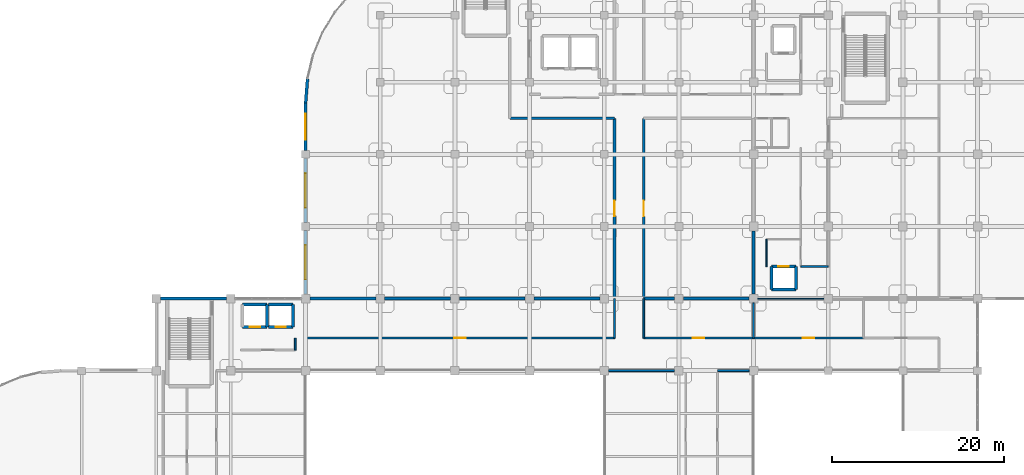
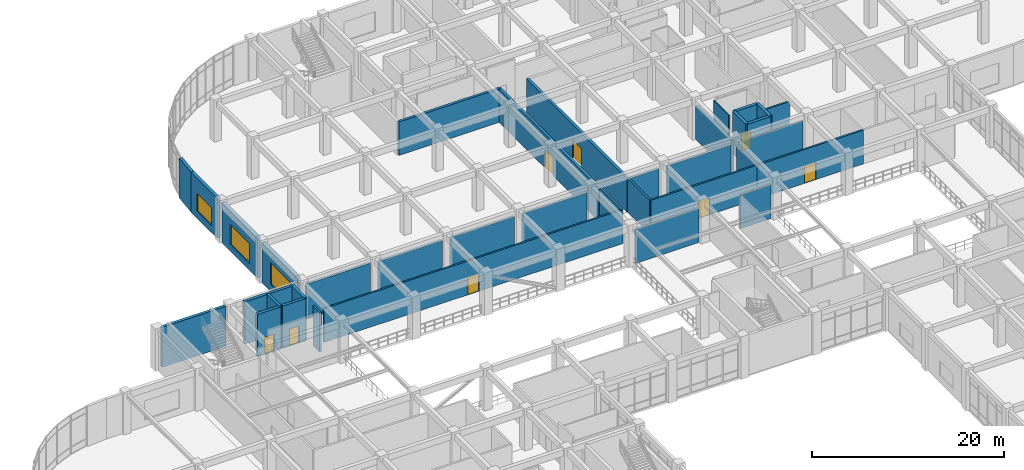
# One storey, part 96 of 114: 37 walls, 8 doors, 3 windows, 11 openings.
"""IFC4 building model written with IfcOpenShell, lengths in metres."""

from ifc_helpers import new_model, si_unit, derived_unit, direction, frame, frame_2d, origin, place, context, subcontext, project, spatial, rectangle, extrude, material, layer, layer_set, type_object, element, fill, save


model = new_model("IFC4")

# Units and contexts
model_context = context("Model", 3, precision=1e-05, world=origin(), true_north=direction((0.0, 1.0)))
body_context = subcontext(model_context, "Body", "Model", "MODEL_VIEW")
ifc_project = project(units=[si_unit("LENGTHUNIT", "METRE"), si_unit("AREAUNIT", "SQUARE_METRE"), si_unit("VOLUMEUNIT", "CUBIC_METRE"), si_unit("PLANEANGLEUNIT", "RADIAN"), si_unit("MASSUNIT", "GRAM", prefix="KILO"), derived_unit("THERMALTRANSMITTANCEUNIT", [(si_unit("MASSUNIT", "GRAM", prefix="KILO"), 1), (si_unit("TIMEUNIT", "SECOND"), -3), (si_unit("THERMODYNAMICTEMPERATUREUNIT", "KELVIN"), -1)])], contexts=[model_context])

# Site, building, storey
site_placement = place(None, origin())
site = spatial("IfcSite", under=ifc_project, at=site_placement, CompositionType="ELEMENT")
building_placement = place(site_placement, origin())
building = spatial("IfcBuilding", under=site, at=building_placement, Name="Qinzheling Arcade Emporium", CompositionType="ELEMENT")
storey_placement = place(building_placement, frame((0.0, 0.0, 6.0)))
storey = spatial("IfcBuildingStorey", under=building, at=storey_placement, Name="L02", CompositionType="ELEMENT", Elevation=6.0)

# Walls
ifc_material_1 = material(Name="Double-stud acoustic gypsum board partition")
ifc_layer_1 = layer(ifc_material_1, 0.215087890625, Name="Double-stud acoustic gypsum board partition")
ifc_layer_set_1 = layer_set([ifc_layer_1], Name="Double-stud acoustic gypsum board partition")
wall_type_1 = type_object("IfcWallType", Name="Acoustic Corridor Partition Wall 215", PredefinedType="PARTITIONING", material=ifc_layer_set_1)
wall_1_placement = place(storey_placement, frame((51.0, 69.199951171875, 0.0), z_axis=(0.0, 0.0, 1.0), x_axis=(0.0, -1.0, 0.0)))
element("IfcWall", 1, at=wall_1_placement, inside=storey, type_object=wall_type_1, Name="Interior Wall WL-L02-INT-0284", PredefinedType="PARTITIONING", context=body_context, shape_type="SweptSolid", body=[
    extrude(rectangle(XDim=1.39990234375, YDim=0.215087890625, at=frame_2d((0.699951171875, 0.0))), origin(), (0.0, 0.0, 1.0), 5.06005859375),
])
wall_2_placement = place(storey_placement, frame((91.60009765625, 73.800048828125, 0.0), z_axis=(0.0, 0.0, 1.0), x_axis=(0.0, -1.0, 0.0)))
element("IfcWall", 2, at=wall_2_placement, inside=storey, type_object=wall_type_1, Name="Interior Wall WL-L02-INT-0333", PredefinedType="PARTITIONING", context=body_context, shape_type="SweptSolid", body=[
    extrude(rectangle(XDim=4.60009765625, YDim=0.215087890625, at=frame_2d((2.300048828125, 0.0))), origin(), (0.0, 0.0, 1.0), 4.31005859375),
])

# Wall, opening, door
wall_3_placement = place(storey_placement, frame((91.60009765625, 69.199951171875, 0.0), z_axis=(0.0, 0.0, 1.0), x_axis=(1.0, 0.0, 0.0)))
wall_3 = element("IfcWall", 3, at=wall_3_placement, inside=storey, type_object=wall_type_1, Name="Interior Wall WL-L02-INT-0334", PredefinedType="PARTITIONING", context=body_context, shape_type="SweptSolid", body=[
    extrude(rectangle(XDim=12.7998046875, YDim=0.215087890625, at=frame_2d((6.39990234375, 0.0))), origin(), (0.0, 0.0, 1.0), 4.31005859375),
])
opening_1_placement = place(wall_3_placement, frame((5.72509765625, 0.0, 0.0)))
opening_1 = element("IfcOpeningElement", 4, at=opening_1_placement, cuts=wall_3, Name="Opening FD05", PredefinedType="OPENING", context=body_context, shape_type="SweptSolid", body=[
    extrude(rectangle(XDim=1.35009765625, YDim=2.199951171875, at=frame_2d((0.675048828125, 1.10009765625))), frame((0.0, 0.11767578125, 0.0), z_axis=(0.0, -1.0, 0.0), x_axis=(1.0, 0.0, 0.0)), (0.0, 0.0, 1.0), 0.235107421875),
])
ifc_material_2 = material(Name="Class B fire-rated stainless-clad door")
door_type_1 = type_object("IfcDoorType", Name="Kitchen Fire-Rated Service Door 1350x2200", OperationType="NOTDEFINED", PredefinedType="DOOR", material=ifc_material_2)
door_1_placement = place(opening_1_placement, origin())
door_1 = element("IfcDoor", 5, at=door_1_placement, inside=storey, type_object=door_type_1, Name="FD05 Interior Door DR-L02-INT-0099", OperationType="SINGLE_SWING_RIGHT", OverallHeight=2.199951171875, OverallWidth=1.35009765625, PredefinedType="DOOR", context=body_context, shape_type="SweptSolid", body=[
    extrude(rectangle(XDim=1.35009765625, YDim=2.199951171875, at=frame_2d((0.675048828125, 1.10009765625))), frame((0.0, 0.02490234375, 0.0), z_axis=(0.0, -1.0, 0.0), x_axis=(1.0, 0.0, 0.0)), (0.0, 0.0, 1.0), 0.050048828125),
])
fill(opening_1, door_1)

wall_4_placement = place(storey_placement, frame((52.199951171875, 69.199951171875, 0.0), z_axis=(0.0, 0.0, 1.0), x_axis=(1.0, 0.0, 0.0)))
wall_4 = element("IfcWall", 6, at=wall_4_placement, inside=storey, type_object=wall_type_1, Name="Interior Wall WL-L02-INT-0335", PredefinedType="PARTITIONING", context=body_context, shape_type="SweptSolid", body=[
    extrude(rectangle(XDim=36.0, YDim=0.215087890625, at=frame_2d((18.0, 0.0))), origin(), (0.0, 0.0, 1.0), 4.31005859375),
])
opening_2_placement = place(wall_4_placement, frame((17.324951171875, 0.0, 0.0)))
opening_2 = element("IfcOpeningElement", 7, at=opening_2_placement, cuts=wall_4, Name="Opening FD05", PredefinedType="OPENING", context=body_context, shape_type="SweptSolid", body=[
    extrude(rectangle(XDim=1.35009765625, YDim=2.199951171875, at=frame_2d((0.675048828125, 1.10009765625))), frame((0.0, 0.11767578125, 0.0), z_axis=(0.0, -1.0, 0.0), x_axis=(1.0, 0.0, 0.0)), (0.0, 0.0, 1.0), 0.235107421875),
])
door_2_placement = place(opening_2_placement, origin())
door_2 = element("IfcDoor", 8, at=door_2_placement, inside=storey, type_object=door_type_1, Name="FD05 Interior Door DR-L02-INT-0100", OperationType="SINGLE_SWING_LEFT", OverallHeight=2.199951171875, OverallWidth=1.35009765625, PredefinedType="DOOR", context=body_context, shape_type="SweptSolid", body=[
    extrude(rectangle(XDim=1.35009765625, YDim=2.199951171875, at=frame_2d((0.675048828125, 1.10009765625))), frame((0.0, 0.02490234375, 0.0), z_axis=(0.0, -1.0, 0.0), x_axis=(1.0, 0.0, 0.0)), (0.0, 0.0, 1.0), 0.050048828125),
])
fill(opening_2, door_2)

# Walls
wall_5_placement = place(storey_placement, frame((88.199951171875, 69.199951171875, 0.0), z_axis=(0.0, 0.0, 1.0), x_axis=(0.0, 1.0, 0.0)))
element("IfcWall", 9, at=wall_5_placement, inside=storey, type_object=wall_type_1, Name="Interior Wall WL-L02-INT-0336", PredefinedType="PARTITIONING", context=body_context, shape_type="SweptSolid", body=[
    extrude(rectangle(XDim=4.60009765625, YDim=0.215087890625, at=frame_2d((2.300048828125, 0.0))), origin(), (0.0, 0.0, 1.0), 4.31005859375),
])
wall_6_placement = place(storey_placement, frame((103.889892578125, 65.39990234375, 0.0), z_axis=(0.0, 0.0, 1.0), x_axis=(-1.0, 0.0, 0.0)))
element("IfcWall", 10, at=wall_6_placement, inside=storey, type_object=wall_type_1, Name="Interior Wall WL-L02-INT-0337", PredefinedType="PARTITIONING", context=body_context, shape_type="SweptSolid", body=[
    extrude(rectangle(XDim=3.68994140625, YDim=0.215087890625, at=frame_2d((1.844970703125, 0.0))), origin(), (0.0, 0.0, 1.0), 4.31005859375),
])
wall_7_placement = place(storey_placement, frame((95.18994140625, 65.39990234375, 0.0), z_axis=(0.0, 0.0, 1.0), x_axis=(-1.0, 0.0, 0.0)))
element("IfcWall", 11, at=wall_7_placement, inside=storey, type_object=wall_type_1, Name="Interior Wall WL-L02-INT-0342", PredefinedType="PARTITIONING", context=body_context, shape_type="SweptSolid", body=[
    extrude(rectangle(XDim=7.679931640625, YDim=0.215087890625, at=frame_2d((3.83984375, 0.0))), origin(), (0.0, 0.0, 1.0), 4.31005859375),
])
wall_8_placement = place(storey_placement, frame((113.10009765625, 77.530029296875, 0.0), z_axis=(0.0, 0.0, 1.0), x_axis=(-1.0, 0.0, 0.0)))
element("IfcWall", 12, at=wall_8_placement, inside=storey, type_object=wall_type_1, Name="Interior Wall WL-L02-INT-0376", PredefinedType="PARTITIONING", context=body_context, shape_type="SweptSolid", body=[
    extrude(rectangle(XDim=3.2001953125, YDim=0.215087890625, at=frame_2d((1.60009765625, 0.0))), origin(), (0.0, 0.0, 1.0), 4.324951171875),
])

# Wall, opening, door
wall_9_placement = place(storey_placement, frame((104.39990234375, 69.199951171875, 0.0), z_axis=(0.0, 0.0, 1.0), x_axis=(1.0, 0.0, 0.0)))
wall_9 = element("IfcWall", 13, at=wall_9_placement, inside=storey, type_object=wall_type_1, Name="Interior Wall WL-L02-INT-0383", PredefinedType="PARTITIONING", context=body_context, shape_type="SweptSolid", body=[
    extrude(rectangle(XDim=12.800048828125, YDim=0.215087890625, at=frame_2d((6.39990234375, 0.0))), origin(), (0.0, 0.0, 1.0), 4.31005859375),
])
opening_3_placement = place(wall_9_placement, frame((5.72509765625, 0.0, 0.0)))
opening_3 = element("IfcOpeningElement", 14, at=opening_3_placement, cuts=wall_9, Name="Opening FD05", PredefinedType="OPENING", context=body_context, shape_type="SweptSolid", body=[
    extrude(rectangle(XDim=1.35009765625, YDim=2.199951171875, at=frame_2d((0.675048828125, 1.10009765625))), frame((0.0, 0.11767578125, 0.0), z_axis=(0.0, -1.0, 0.0), x_axis=(1.0, 0.0, 0.0)), (0.0, 0.0, 1.0), 0.235107421875),
])
door_3_placement = place(opening_3_placement, origin())
door_3 = element("IfcDoor", 15, at=door_3_placement, inside=storey, type_object=door_type_1, Name="FD05 Interior Door DR-L02-INT-0115", OperationType="SINGLE_SWING_RIGHT", OverallHeight=2.199951171875, OverallWidth=1.35009765625, PredefinedType="DOOR", context=body_context, shape_type="SweptSolid", body=[
    extrude(rectangle(XDim=1.35009765625, YDim=2.199951171875, at=frame_2d((0.675048828125, 1.10009765625))), frame((0.0, 0.02490234375, 0.0), z_axis=(0.0, -1.0, 0.0), x_axis=(1.0, 0.0, 0.0)), (0.0, 0.0, 1.0), 0.050048828125),
])
fill(opening_3, door_3)

# Wall
ifc_material_3 = material(Name="Fluted granite ashlar on Concrete C40", Category="masonry")
ifc_layer_2 = layer(ifc_material_3, 0.35009765625, Name="Fluted granite ashlar on Concrete C40", Category="masonry")
ifc_layer_set_2 = layer_set([ifc_layer_2], Name="Fluted granite ashlar on Concrete C40")
wall_type_2 = type_object("IfcWallType", Name="Fluted Granite Logistics Wall 350", PredefinedType="STANDARD", material=ifc_layer_set_2)
wall_10_placement = place(storey_placement, frame((35.302001953125, 73.800048828125, 0.0), z_axis=(0.0, 0.0, 1.0), x_axis=(1.0, 0.0, 0.0)))
element("IfcWall", 16, at=wall_10_placement, inside=storey, type_object=wall_type_2, Name="Exterior Wall WL-L02-EW-0119", PredefinedType="STANDARD", context=body_context, shape_type="SweptSolid", body=[
    extrude(rectangle(XDim=7.696044921875, YDim=0.35009765625, at=frame_2d((3.84814453125, 0.0))), origin(), (0.0, 0.0, 1.0), 5.090087890625),
])

# Wall, opening, window
wall_11_placement = place(storey_placement, frame((52.199951171875, 74.302001953125, 0.0), z_axis=(0.0, 0.0, 1.0), x_axis=(0.0, 1.0, 0.0)))
wall_11 = element("IfcWall", 17, at=wall_11_placement, inside=storey, type_object=wall_type_2, Name="Exterior Wall WL-L02-EW-0120", PredefinedType="STANDARD", context=body_context, shape_type="SweptSolid", body=[
    extrude(rectangle(XDim=7.446044921875, YDim=0.35009765625, at=frame_2d((3.72314453125, 0.0))), origin(), (0.0, 0.0, 1.0), 5.090087890625),
])
opening_4_placement = place(wall_11_placement, frame((1.722900390625, 0.0, 0.85009765625)))
opening_4 = element("IfcOpeningElement", 18, at=opening_4_placement, cuts=wall_11, Name="Opening WN14", PredefinedType="OPENING", context=body_context, shape_type="SweptSolid", body=[
    extrude(rectangle(XDim=4.0, YDim=2.75, at=frame_2d((2.0, 1.375))), frame((0.0, 0.18505859375, 0.0), z_axis=(0.0, -1.0, 0.0), x_axis=(1.0, 0.0, 0.0)), (0.0, 0.0, 1.0), 0.3701171875),
])
ifc_material_4 = material(Name="Thermally broken aluminium frame with solar-control double glazing", Category="aluminium")
window_type_1 = type_object("IfcWindowType", Name="Chicago Tripartite Window 4000x2750", PartitioningType="TRIPLE_PANEL_VERTICAL", PredefinedType="WINDOW", material=ifc_material_4)
window_1_placement = place(opening_4_placement, origin())
window_1 = element("IfcWindow", 19, at=window_1_placement, inside=storey, type_object=window_type_1, Name="WN14 Window WN-L02-0027", OverallHeight=2.75, OverallWidth=4.0, PartitioningType="TRIPLE_PANEL_VERTICAL", PredefinedType="WINDOW", context=body_context, shape_type="SweptSolid", body=[
    extrude(rectangle(XDim=4.0, YDim=2.75, at=frame_2d((2.0, 1.375))), frame((0.0, 0.030029296875, 0.0), z_axis=(0.0, -1.0, 0.0), x_axis=(1.0, 0.0, 0.0)), (0.0, 0.0, 1.0), 0.06005859375),
])
fill(opening_4, window_1)

wall_12_placement = place(storey_placement, frame((52.199951171875, 82.652099609375, 0.0), z_axis=(0.0, 0.0, 1.0), x_axis=(0.0, 1.0, 0.0)))
wall_12 = element("IfcWall", 20, at=wall_12_placement, inside=storey, type_object=wall_type_2, Name="Exterior Wall WL-L02-EW-0121", PredefinedType="STANDARD", context=body_context, shape_type="SweptSolid", body=[
    extrude(rectangle(XDim=7.495849609375, YDim=0.35009765625, at=frame_2d((3.748046875, 0.0))), origin(), (0.0, 0.0, 1.0), 5.090087890625),
])
opening_5_placement = place(wall_12_placement, frame((1.748046875, 0.0, 0.85009765625)))
opening_5 = element("IfcOpeningElement", 21, at=opening_5_placement, cuts=wall_12, Name="Opening WN15", PredefinedType="OPENING", context=body_context, shape_type="SweptSolid", body=[
    extrude(rectangle(XDim=4.0, YDim=2.550048828125, at=frame_2d((2.0, 1.27490234375))), frame((0.0, 0.18505859375, 0.0), z_axis=(0.0, -1.0, 0.0), x_axis=(1.0, 0.0, 0.0)), (0.0, 0.0, 1.0), 0.3701171875),
])
window_type_2 = type_object("IfcWindowType", Name="Chicago Tripartite Window 4000x2550", PartitioningType="TRIPLE_PANEL_VERTICAL", PredefinedType="WINDOW", material=ifc_material_4)
window_2_placement = place(opening_5_placement, origin())
window_2 = element("IfcWindow", 22, at=window_2_placement, inside=storey, type_object=window_type_2, Name="WN15 Window WN-L02-0028", OverallHeight=2.550048828125, OverallWidth=4.0, PartitioningType="TRIPLE_PANEL_VERTICAL", PredefinedType="WINDOW", context=body_context, shape_type="SweptSolid", body=[
    extrude(rectangle(XDim=4.0, YDim=2.550048828125, at=frame_2d((2.0, 1.27490234375))), frame((0.0, 0.030029296875, 0.0), z_axis=(0.0, -1.0, 0.0), x_axis=(1.0, 0.0, 0.0)), (0.0, 0.0, 1.0), 0.06005859375),
])
fill(opening_5, window_2)

wall_13_placement = place(storey_placement, frame((52.199951171875, 91.052001953125, 0.0), z_axis=(0.0, 0.0, 1.0), x_axis=(0.0, 1.0, 0.0)))
wall_13 = element("IfcWall", 23, at=wall_13_placement, inside=storey, type_object=wall_type_2, Name="Exterior Wall WL-L02-EW-0122", PredefinedType="STANDARD", context=body_context, shape_type="SweptSolid", body=[
    extrude(rectangle(XDim=5.548095703125, YDim=0.35009765625, at=frame_2d((2.77392578125, 0.0))), origin(), (0.0, 0.0, 1.0), 5.090087890625),
])
opening_6_placement = place(wall_13_placement, frame((1.27392578125, 0.0, 0.85009765625)))
opening_6 = element("IfcOpeningElement", 24, at=opening_6_placement, cuts=wall_13, Name="Opening WN40", PredefinedType="OPENING", context=body_context, shape_type="SweptSolid", body=[
    extrude(rectangle(XDim=3.0, YDim=2.300048828125, at=frame_2d((1.5, 1.14990234375))), frame((0.0, 0.18505859375, 0.0), z_axis=(0.0, -1.0, 0.0), x_axis=(1.0, 0.0, 0.0)), (0.0, 0.0, 1.0), 0.3701171875),
])
window_type_3 = type_object("IfcWindowType", Name="Chicago Tripartite Window 3000x2300", PartitioningType="TRIPLE_PANEL_VERTICAL", PredefinedType="WINDOW", material=ifc_material_4)
window_3_placement = place(opening_6_placement, origin())
window_3 = element("IfcWindow", 25, at=window_3_placement, inside=storey, type_object=window_type_3, Name="WN40 Window WN-L02-0029", OverallHeight=2.300048828125, OverallWidth=3.0, PartitioningType="TRIPLE_PANEL_VERTICAL", PredefinedType="WINDOW", context=body_context, shape_type="SweptSolid", body=[
    extrude(rectangle(XDim=3.0, YDim=2.300048828125, at=frame_2d((1.5, 1.14990234375))), frame((0.0, 0.030029296875, 0.0), z_axis=(0.0, -1.0, 0.0), x_axis=(1.0, 0.0, 0.0)), (0.0, 0.0, 1.0), 0.06005859375),
])
fill(opening_6, window_3)

# Walls
wall_14_placement = place(storey_placement, frame((52.199951171875, 96.60009765625, 0.0), z_axis=(0.0, 0.0, 1.0), x_axis=(0.078652755923, 0.996902073418, 0.0)))
element("IfcWall", 26, at=wall_14_placement, inside=storey, type_object=wall_type_2, Name="Exterior Wall WL-L02-EW-0123", PredefinedType="STANDARD", context=body_context, shape_type="SweptSolid", body=[
    extrude(rectangle(XDim=2.82470703125, YDim=0.35009765625, at=frame_2d((1.412353515625, 0.0))), origin(), (0.0, 0.0, 1.0), 5.090087890625),
])
ifc_material_5 = material(Name="Acoustic gypsum gallery partition")
ifc_layer_3 = layer(ifc_material_5, 0.205078125, Name="Acoustic gypsum gallery partition")
ifc_layer_set_3 = layer_set([ifc_layer_3], Name="Acoustic gypsum gallery partition")
wall_type_3 = type_object("IfcWallType", Name="Gallery Display Partition Wall 205", PredefinedType="PARTITIONING", material=ifc_layer_set_3)
wall_15_placement = place(storey_placement, frame((104.39990234375, 73.2900390625, 0.0), z_axis=(0.0, 0.0, 1.0), x_axis=(0.0, -1.0, 0.0)))
element("IfcWall", 27, at=wall_15_placement, inside=storey, type_object=wall_type_3, Name="Interior Wall WL-L02-INT-0397", PredefinedType="PARTITIONING", context=body_context, shape_type="SweptSolid", body=[
    extrude(rectangle(XDim=4.090087890625, YDim=0.205078125, at=frame_2d((2.044921875, 0.0))), origin(), (0.0, 0.0, 1.0), 4.31005859375),
])
ifc_material_6 = material(Name="Lightweight gypsum studio partition")
ifc_layer_4 = layer(ifc_material_6, 0.125, Name="Lightweight gypsum studio partition")
ifc_layer_set_4 = layer_set([ifc_layer_4], Name="Lightweight gypsum studio partition")
wall_type_4 = type_object("IfcWallType", Name="Merchandising Studio Partition Wall 125", PredefinedType="PARTITIONING", material=ifc_layer_set_4)
wall_16_placement = place(storey_placement, frame((112.590087890625, 73.800048828125, 0.0), z_axis=(0.0, 0.0, 1.0), x_axis=(-1.0, 0.0, 0.0)))
element("IfcWall", 28, at=wall_16_placement, inside=storey, type_object=wall_type_4, Name="Interior Wall WL-L02-INT-0425", PredefinedType="PARTITIONING", context=body_context, shape_type="SweptSolid", body=[
    extrude(rectangle(XDim=7.68017578125, YDim=0.125, at=frame_2d((3.840087890625, 0.0))), origin(), (0.0, 0.0, 1.0), 4.31005859375),
])
ifc_material_7 = material(Name="Concrete C40", Category="concrete")
ifc_layer_5 = layer(ifc_material_7, 0.35009765625, Name="Concrete C40", Category="concrete")
ifc_layer_set_5 = layer_set([ifc_layer_5], Name="Concrete C40")
wall_type_5 = type_object("IfcWallType", Name="RC Lift Shaft Shear Wall 350 C40", PredefinedType="SHEAR", material=ifc_layer_set_5)
wall_17_placement = place(storey_placement, frame((44.875, 73.125, 0.0), z_axis=(0.0, 0.0, 1.0), x_axis=(1.0, 0.0, 0.0)))
element("IfcWall", 29, at=wall_17_placement, inside=storey, type_object=wall_type_5, Name="Lift Shaft Wall WL-L02-LFT-LP03-N", PredefinedType="SHEAR", context=body_context, shape_type="SweptSolid", body=[
    extrude(rectangle(XDim=2.85009765625, YDim=0.35009765625, at=frame_2d((1.425048828125, 0.0))), origin(), (0.0, 0.0, 1.0), 5.39990234375),
])

# Wall, opening, door
wall_18_placement = place(storey_placement, frame((47.72509765625, 70.47509765625, 0.0), z_axis=(0.0, 0.0, 1.0), x_axis=(-1.0, 0.0, 0.0)))
wall_18 = element("IfcWall", 30, at=wall_18_placement, inside=storey, type_object=wall_type_5, Name="Lift Shaft Wall WL-L02-LFT-LP03-S", PredefinedType="SHEAR", context=body_context, shape_type="SweptSolid", body=[
    extrude(rectangle(XDim=2.85009765625, YDim=0.35009765625, at=frame_2d((1.425048828125, 0.0))), origin(), (0.0, 0.0, 1.0), 5.39990234375),
])
opening_7_placement = place(wall_18_placement, frame((0.824951171875, 0.0, 0.0)))
opening_7 = element("IfcOpeningElement", 31, at=opening_7_placement, cuts=wall_18, Name="Opening LD02", PredefinedType="OPENING", context=body_context, shape_type="SweptSolid", body=[
    extrude(rectangle(XDim=1.199951171875, YDim=2.199951171875, at=frame_2d((0.60009765625, 1.10009765625))), frame((0.0, 0.18505859375, 0.0), z_axis=(0.0, -1.0, 0.0), x_axis=(1.0, 0.0, 0.0)), (0.0, 0.0, 1.0), 0.3701171875),
])
ifc_material_8 = material(Name="Brushed bronze stainless sliding lift door")
door_type_2 = type_object("IfcDoorType", Name="Passenger Lift Sliding Landing Door 1200x2200", OperationType="DOUBLE_DOOR_SLIDING", PredefinedType="DOOR", material=ifc_material_8)
door_4_placement = place(opening_7_placement, origin())
door_4 = element("IfcDoor", 32, at=door_4_placement, inside=storey, type_object=door_type_2, Name="LD02 Lift Landing Door LP03 L02", OperationType="DOUBLE_DOOR_SLIDING", OverallHeight=2.199951171875, OverallWidth=1.199951171875, PredefinedType="DOOR", context=body_context, shape_type="SweptSolid", body=[
    extrude(rectangle(XDim=1.199951171875, YDim=2.199951171875, at=frame_2d((0.60009765625, 1.10009765625))), frame((0.0, 0.02490234375, 0.0), z_axis=(0.0, -1.0, 0.0), x_axis=(1.0, 0.0, 0.0)), (0.0, 0.0, 1.0), 0.050048828125),
])
fill(opening_7, door_4)

# Walls
wall_19_placement = place(storey_placement, frame((47.72509765625, 73.125, 0.0), z_axis=(0.0, 0.0, 1.0), x_axis=(0.0, -1.0, 0.0)))
element("IfcWall", 33, at=wall_19_placement, inside=storey, type_object=wall_type_5, Name="Lift Shaft Wall WL-L02-LFT-LP03-E", PredefinedType="SHEAR", context=body_context, shape_type="SweptSolid", body=[
    extrude(rectangle(XDim=2.64990234375, YDim=0.35009765625, at=frame_2d((1.324951171875, 0.0))), origin(), (0.0, 0.0, 1.0), 5.39990234375),
])
wall_20_placement = place(storey_placement, frame((47.875, 73.125, 0.0), z_axis=(0.0, 0.0, 1.0), x_axis=(1.0, 0.0, 0.0)))
element("IfcWall", 34, at=wall_20_placement, inside=storey, type_object=wall_type_5, Name="Lift Shaft Wall WL-L02-LFT-LP04-N", PredefinedType="SHEAR", context=body_context, shape_type="SweptSolid", body=[
    extrude(rectangle(XDim=2.85009765625, YDim=0.35009765625, at=frame_2d((1.425048828125, 0.0))), origin(), (0.0, 0.0, 1.0), 5.39990234375),
])

# Wall, opening, door
wall_21_placement = place(storey_placement, frame((50.72509765625, 70.47509765625, 0.0), z_axis=(0.0, 0.0, 1.0), x_axis=(-1.0, 0.0, 0.0)))
wall_21 = element("IfcWall", 35, at=wall_21_placement, inside=storey, type_object=wall_type_5, Name="Lift Shaft Wall WL-L02-LFT-LP04-S", PredefinedType="SHEAR", context=body_context, shape_type="SweptSolid", body=[
    extrude(rectangle(XDim=2.85009765625, YDim=0.35009765625, at=frame_2d((1.425048828125, 0.0))), origin(), (0.0, 0.0, 1.0), 5.39990234375),
])
opening_8_placement = place(wall_21_placement, frame((0.824951171875, 0.0, 0.0)))
opening_8 = element("IfcOpeningElement", 36, at=opening_8_placement, cuts=wall_21, Name="Opening LD02", PredefinedType="OPENING", context=body_context, shape_type="SweptSolid", body=[
    extrude(rectangle(XDim=1.199951171875, YDim=2.199951171875, at=frame_2d((0.60009765625, 1.10009765625))), frame((0.0, 0.18505859375, 0.0), z_axis=(0.0, -1.0, 0.0), x_axis=(1.0, 0.0, 0.0)), (0.0, 0.0, 1.0), 0.3701171875),
])
door_5_placement = place(opening_8_placement, origin())
door_5 = element("IfcDoor", 37, at=door_5_placement, inside=storey, type_object=door_type_2, Name="LD02 Lift Landing Door LP04 L02", OperationType="DOUBLE_DOOR_SLIDING", OverallHeight=2.199951171875, OverallWidth=1.199951171875, PredefinedType="DOOR", context=body_context, shape_type="SweptSolid", body=[
    extrude(rectangle(XDim=1.199951171875, YDim=2.199951171875, at=frame_2d((0.60009765625, 1.10009765625))), frame((0.0, 0.02490234375, 0.0), z_axis=(0.0, -1.0, 0.0), x_axis=(1.0, 0.0, 0.0)), (0.0, 0.0, 1.0), 0.050048828125),
])
fill(opening_8, door_5)

# Wall
wall_22_placement = place(storey_placement, frame((50.72509765625, 73.125, 0.0), z_axis=(0.0, 0.0, 1.0), x_axis=(0.0, -1.0, 0.0)))
element("IfcWall", 38, at=wall_22_placement, inside=storey, type_object=wall_type_5, Name="Lift Shaft Wall WL-L02-LFT-LP04-E", PredefinedType="SHEAR", context=body_context, shape_type="SweptSolid", body=[
    extrude(rectangle(XDim=2.64990234375, YDim=0.35009765625, at=frame_2d((1.324951171875, 0.0))), origin(), (0.0, 0.0, 1.0), 5.39990234375),
])

# Wall, opening, door
wall_23_placement = place(storey_placement, frame((106.47509765625, 77.52490234375, 0.0), z_axis=(0.0, 0.0, 1.0), x_axis=(1.0, 0.0, 0.0)))
wall_23 = element("IfcWall", 39, at=wall_23_placement, inside=storey, type_object=wall_type_5, Name="Lift Shaft Wall WL-L02-LFT-LP06-N", PredefinedType="SHEAR", context=body_context, shape_type="SweptSolid", body=[
    extrude(rectangle(XDim=2.849853515625, YDim=0.35009765625, at=frame_2d((1.4248046875, 0.0))), origin(), (0.0, 0.0, 1.0), 5.39990234375),
])
opening_9_placement = place(wall_23_placement, frame((0.824951171875, 0.0, 0.0)))
opening_9 = element("IfcOpeningElement", 40, at=opening_9_placement, cuts=wall_23, Name="Opening LD02", PredefinedType="OPENING", context=body_context, shape_type="SweptSolid", body=[
    extrude(rectangle(XDim=1.199951171875, YDim=2.199951171875, at=frame_2d((0.60009765625, 1.10009765625))), frame((0.0, 0.18505859375, 0.0), z_axis=(0.0, -1.0, 0.0), x_axis=(1.0, 0.0, 0.0)), (0.0, 0.0, 1.0), 0.3701171875),
])
door_6_placement = place(opening_9_placement, origin())
door_6 = element("IfcDoor", 41, at=door_6_placement, inside=storey, type_object=door_type_2, Name="LD02 Lift Landing Door LP06 L02", OperationType="DOUBLE_DOOR_SLIDING", OverallHeight=2.199951171875, OverallWidth=1.199951171875, PredefinedType="DOOR", context=body_context, shape_type="SweptSolid", body=[
    extrude(rectangle(XDim=1.199951171875, YDim=2.199951171875, at=frame_2d((0.60009765625, 1.10009765625))), frame((0.0, 0.02490234375, 0.0), z_axis=(0.0, -1.0, 0.0), x_axis=(1.0, 0.0, 0.0)), (0.0, 0.0, 1.0), 0.050048828125),
])
fill(opening_9, door_6)

# Walls
wall_24_placement = place(storey_placement, frame((109.324951171875, 74.875, 0.0), z_axis=(0.0, 0.0, 1.0), x_axis=(-1.0, 0.0, 0.0)))
element("IfcWall", 42, at=wall_24_placement, inside=storey, type_object=wall_type_5, Name="Lift Shaft Wall WL-L02-LFT-LP06-S", PredefinedType="SHEAR", context=body_context, shape_type="SweptSolid", body=[
    extrude(rectangle(XDim=2.849853515625, YDim=0.35009765625, at=frame_2d((1.4248046875, 0.0))), origin(), (0.0, 0.0, 1.0), 5.39990234375),
])
for number, where, z_axis, x_axis, name in (
    (43, (106.47509765625, 74.875, 0.0), (0.0, 0.0, 1.0), (0.0, 1.0, 0.0), "Lift Shaft Wall WL-L02-LFT-LP06-W"),
    (44, (109.324951171875, 77.52490234375, 0.0), (0.0, 0.0, 1.0), (0.0, -1.0, 0.0), "Lift Shaft Wall WL-L02-LFT-LP06-E"),
):
    element("IfcWall", number, at=place(storey_placement, frame(where, z_axis=z_axis, x_axis=x_axis)), inside=storey, type_object=wall_type_5, Name=name, PredefinedType="SHEAR", context=body_context, shape_type="SweptSolid", body=[
        extrude(rectangle(XDim=2.64990234375, YDim=0.35009765625, at=frame_2d((1.324951171875, 0.0))), origin(), (0.0, 0.0, 1.0), 5.39990234375),
    ])

# Wall, opening, door
ifc_material_9 = material(Name="Autoclaved aerated concrete masonry with fire plaster", Category="masonry")
ifc_layer_6 = layer(ifc_material_9, 0.31005859375, Name="Autoclaved aerated concrete masonry with fire plaster", Category="masonry")
ifc_layer_set_6 = layer_set([ifc_layer_6], Name="Autoclaved aerated concrete masonry with fire plaster")
wall_type_6 = type_object("IfcWallType", Name="Retail Compartment Fire Wall 310 C40", PredefinedType="STANDARD", material=ifc_layer_set_6)
wall_25_placement = place(storey_placement, frame((88.199951171875, 73.800048828125, 0.0), z_axis=(0.0, 0.0, 1.0), x_axis=(0.0, 1.0, 0.0)))
wall_25 = element("IfcWall", 45, at=wall_25_placement, inside=storey, type_object=wall_type_6, Name="Interior Wall WL-L02-INT-0362", PredefinedType="STANDARD", context=body_context, shape_type="SweptSolid", body=[
    extrude(rectangle(XDim=21.0, YDim=0.31005859375, at=frame_2d((10.5, 0.0))), origin(), (0.0, 0.0, 1.0), 4.280029296875),
])
opening_10_placement = place(wall_25_placement, frame((9.574951171875, 0.0, 0.0)))
opening_10 = element("IfcOpeningElement", 46, at=opening_10_placement, cuts=wall_25, Name="Opening FD03", PredefinedType="OPENING", context=body_context, shape_type="SweptSolid", body=[
    extrude(rectangle(XDim=1.85009765625, YDim=2.300048828125, at=frame_2d((0.925048828125, 1.14990234375))), frame((0.0, 0.1650390625, 0.0), z_axis=(0.0, -1.0, 0.0), x_axis=(1.0, 0.0, 0.0)), (0.0, 0.0, 1.0), 0.330078125),
])
ifc_material_10 = material(Name="Class A fire-rated steel double door", Category="steel")
door_type_3 = type_object("IfcDoorType", Name="Stockroom Double Fire Door 1850x2300", OperationType="DOUBLE_DOOR_SINGLE_SWING", PredefinedType="DOOR", material=ifc_material_10)
door_7_placement = place(opening_10_placement, origin())
door_7 = element("IfcDoor", 47, at=door_7_placement, inside=storey, type_object=door_type_3, Name="FD03 Interior Door DR-L02-INT-0108", OperationType="DOUBLE_DOOR_SINGLE_SWING", OverallHeight=2.300048828125, OverallWidth=1.85009765625, PredefinedType="DOOR", context=body_context, shape_type="SweptSolid", body=[
    extrude(rectangle(XDim=1.85009765625, YDim=2.300048828125, at=frame_2d((0.925048828125, 1.14990234375))), frame((0.0, 0.02490234375, 0.0), z_axis=(0.0, -1.0, 0.0), x_axis=(1.0, 0.0, 0.0)), (0.0, 0.0, 1.0), 0.050048828125),
])
fill(opening_10, door_7)

# Wall
wall_26_placement = place(storey_placement, frame((88.199951171875, 94.800048828125, 0.0), z_axis=(0.0, 0.0, 1.0), x_axis=(-1.0, 0.0, 0.0)))
element("IfcWall", 48, at=wall_26_placement, inside=storey, type_object=wall_type_6, Name="Interior Wall WL-L02-INT-0363", PredefinedType="STANDARD", context=body_context, shape_type="SweptSolid", body=[
    extrude(rectangle(XDim=12.2099609375, YDim=0.31005859375, at=frame_2d((6.10498046875, 0.0))), origin(), (0.0, 0.0, 1.0), 4.280029296875),
])

# Wall, opening, door
wall_27_placement = place(storey_placement, frame((91.60009765625, 94.800048828125, 0.0), z_axis=(0.0, 0.0, 1.0), x_axis=(0.0, -1.0, 0.0)))
wall_27 = element("IfcWall", 49, at=wall_27_placement, inside=storey, type_object=wall_type_6, Name="Interior Wall WL-L02-INT-0370", PredefinedType="STANDARD", context=body_context, shape_type="SweptSolid", body=[
    extrude(rectangle(XDim=21.0, YDim=0.31005859375, at=frame_2d((10.5, 0.0))), origin(), (0.0, 0.0, 1.0), 4.280029296875),
])
opening_11_placement = place(wall_27_placement, frame((9.574951171875, 0.0, 0.0)))
opening_11 = element("IfcOpeningElement", 50, at=opening_11_placement, cuts=wall_27, Name="Opening FD03", PredefinedType="OPENING", context=body_context, shape_type="SweptSolid", body=[
    extrude(rectangle(XDim=1.85009765625, YDim=2.300048828125, at=frame_2d((0.925048828125, 1.14990234375))), frame((0.0, 0.1650390625, 0.0), z_axis=(0.0, -1.0, 0.0), x_axis=(1.0, 0.0, 0.0)), (0.0, 0.0, 1.0), 0.330078125),
])
door_8_placement = place(opening_11_placement, origin())
door_8 = element("IfcDoor", 51, at=door_8_placement, inside=storey, type_object=door_type_3, Name="FD03 Interior Door DR-L02-INT-0110", OperationType="DOUBLE_DOOR_SINGLE_SWING", OverallHeight=2.300048828125, OverallWidth=1.85009765625, PredefinedType="DOOR", context=body_context, shape_type="SweptSolid", body=[
    extrude(rectangle(XDim=1.85009765625, YDim=2.300048828125, at=frame_2d((0.925048828125, 1.14990234375))), frame((0.0, 0.02490234375, 0.0), z_axis=(0.0, -1.0, 0.0), x_axis=(1.0, 0.0, 0.0)), (0.0, 0.0, 1.0), 0.050048828125),
])
fill(opening_11, door_8)

# Walls
wall_28_placement = place(storey_placement, frame((91.60009765625, 73.800048828125, 0.0), z_axis=(0.0, 0.0, 1.0), x_axis=(1.0, 0.0, 0.0)))
element("IfcWall", 52, at=wall_28_placement, inside=storey, type_object=wall_type_6, Name="Interior Wall WL-L02-INT-0395", PredefinedType="STANDARD", context=body_context, shape_type="SweptSolid", body=[
    extrude(rectangle(XDim=3.58984375, YDim=0.31005859375, at=frame_2d((1.794921875, 0.0))), origin(), (0.0, 0.0, 1.0), 4.31005859375),
])
wall_29_placement = place(storey_placement, frame((96.2099609375, 73.800048828125, 0.0), z_axis=(0.0, 0.0, 1.0), x_axis=(1.0, 0.0, 0.0)))
element("IfcWall", 53, at=wall_29_placement, inside=storey, type_object=wall_type_6, Name="Interior Wall WL-L02-INT-0396", PredefinedType="STANDARD", context=body_context, shape_type="SweptSolid", body=[
    extrude(rectangle(XDim=7.679931640625, YDim=0.31005859375, at=frame_2d((3.83984375, 0.0))), origin(), (0.0, 0.0, 1.0), 4.31005859375),
])
wall_30_placement = place(storey_placement, frame((52.7099609375, 73.800048828125, 0.0), z_axis=(0.0, 0.0, 1.0), x_axis=(1.0, 0.0, 0.0)))
element("IfcWall", 54, at=wall_30_placement, inside=storey, type_object=wall_type_6, Name="Interior Wall WL-L02-INT-0398", PredefinedType="STANDARD", context=body_context, shape_type="SweptSolid", body=[
    extrude(rectangle(XDim=7.679931640625, YDim=0.31005859375, at=frame_2d((3.83984375, 0.0))), origin(), (0.0, 0.0, 1.0), 4.4599609375),
])
wall_31_placement = place(storey_placement, frame((61.409912109375, 73.800048828125, 0.0), z_axis=(0.0, 0.0, 1.0), x_axis=(1.0, 0.0, 0.0)))
element("IfcWall", 55, at=wall_31_placement, inside=storey, type_object=wall_type_6, Name="Interior Wall WL-L02-INT-0399", PredefinedType="STANDARD", context=body_context, shape_type="SweptSolid", body=[
    extrude(rectangle(XDim=7.68017578125, YDim=0.31005859375, at=frame_2d((3.840087890625, 0.0))), origin(), (0.0, 0.0, 1.0), 4.31005859375),
])
for number, where, z_axis, x_axis, name in (
    (56, (70.110107421875, 73.800048828125, 0.0), (0.0, 0.0, 1.0), (1.0, 0.0, 0.0), "Interior Wall WL-L02-INT-0400"),
    (57, (78.81005859375, 73.800048828125, 0.0), (0.0, 0.0, 1.0), (1.0, 0.0, 0.0), "Interior Wall WL-L02-INT-0401"),
):
    element("IfcWall", number, at=place(storey_placement, frame(where, z_axis=z_axis, x_axis=x_axis)), inside=storey, type_object=wall_type_6, Name=name, PredefinedType="STANDARD", context=body_context, shape_type="SweptSolid", body=[
        extrude(rectangle(XDim=7.679931640625, YDim=0.31005859375, at=frame_2d((3.83984375, 0.0))), origin(), (0.0, 0.0, 1.0), 4.31005859375),
    ])
wall_32_placement = place(storey_placement, frame((104.39990234375, 81.68994140625, 0.0), z_axis=(0.0, 0.0, 1.0), x_axis=(0.0, -1.0, 0.0)))
element("IfcWall", 58, at=wall_32_placement, inside=storey, type_object=wall_type_6, Name="Interior Wall WL-L02-INT-0418", PredefinedType="STANDARD", context=body_context, shape_type="SweptSolid", body=[
    extrude(rectangle(XDim=7.3798828125, YDim=0.31005859375, at=frame_2d((3.68994140625, 0.0))), origin(), (0.0, 0.0, 1.0), 4.280029296875),
])
ifc_material_11 = material(Name="Moisture-resistant cement-board WC partition")
ifc_layer_7 = layer(ifc_material_11, 0.14501953125, Name="Moisture-resistant cement-board WC partition")
ifc_layer_set_7 = layer_set([ifc_layer_7], Name="Moisture-resistant cement-board WC partition")
wall_type_7 = type_object("IfcWallType", Name="Washroom Moisture Partition Wall 145", PredefinedType="PARTITIONING", material=ifc_layer_set_7)
wall_33_placement = place(storey_placement, frame((105.89990234375, 77.530029296875, 0.0), z_axis=(0.0, 0.0, 1.0), x_axis=(0.0, 1.0, 0.0)))
element("IfcWall", 59, at=wall_33_placement, inside=storey, type_object=wall_type_7, Name="Interior Wall WL-L02-INT-0290", PredefinedType="PARTITIONING", context=body_context, shape_type="SweptSolid", body=[
    extrude(rectangle(XDim=3.169921875, YDim=0.14501953125, at=frame_2d((1.5849609375, 0.0))), origin(), (0.0, 0.0, 1.0), 5.06005859375),
])

save(model, "model.ifc")
